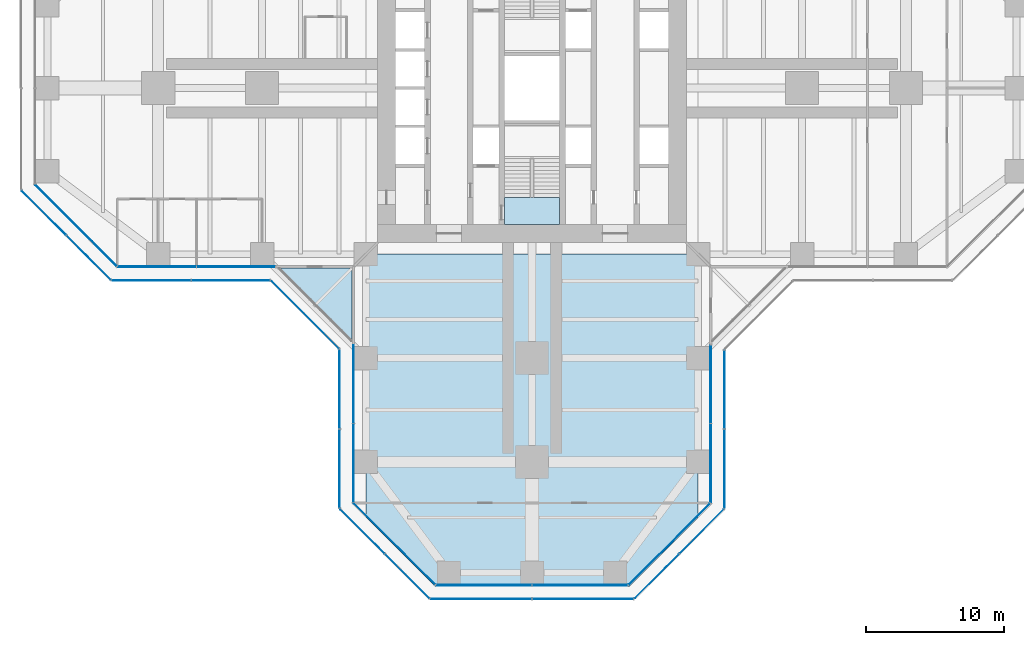
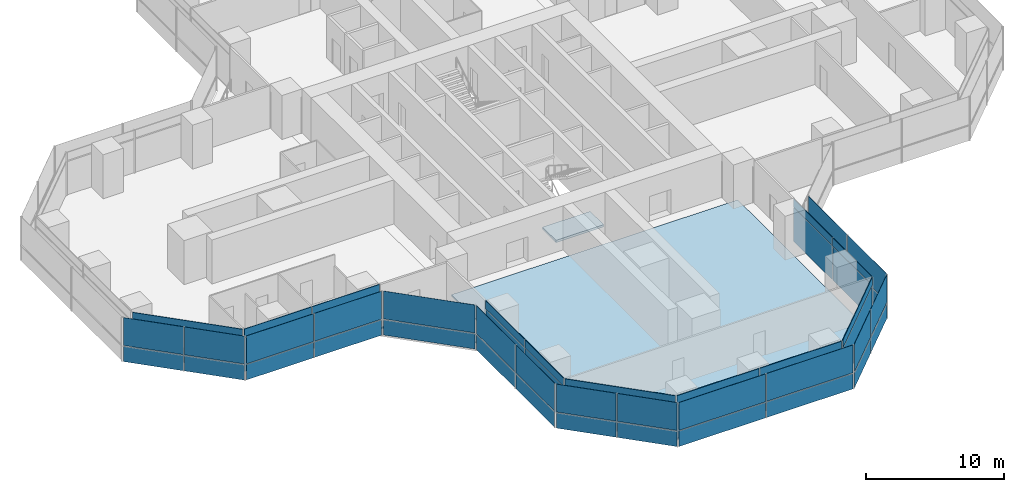
# One storey, part 14 of 22: 52 plates, 3 slabs, 16 elements without a shape of their own.
"""IFC4 building model written with IfcOpenShell, lengths in metres."""

import ifcopenshell
import ifcopenshell.guid

model = None  # the IFC model being written
_history = None  # IfcOwnerHistory: only IFC2X3 demands one
_inside = {}  # id of a spatial element -> (the spatial element, [elements in it])
_under = {}  # id of a project, library or spatial element -> (it, [spatial elements below it])
_declared = {}  # id of a project -> (the project, [libraries it declares])
_typed = {}  # id of a type object -> (the type object, [elements of that type])
_made_of = {}  # id of a material, layer set ... -> (it, [elements and type objects made of it])


def new_model(schema):
    """Start an empty IFC model of exactly this schema.

    Asked for "IFC4X3", IfcOpenShell would pick the latest addendum, in which some entities
    have other attributes; the version numbers below select the first issue.
    IFC2X3 requires an IfcOwnerHistory on every rooted entity: one is made here for all.
    """
    global model, _history
    if schema == "IFC4X3":
        model = ifcopenshell.file(schema_version=(4, 3, 0, 0))
    else:
        model = ifcopenshell.file(schema=schema)
    _inside.clear()
    _under.clear()
    _declared.clear()
    _typed.clear()
    _made_of.clear()
    _history = None
    if model.schema == "IFC2X3":
        org = make("IfcOrganization", Name="unknown")
        user = make(
            "IfcPersonAndOrganization",
            ThePerson=make("IfcPerson", FamilyName="unknown"),
            TheOrganization=org,
        )
        app = make(
            "IfcApplication",
            ApplicationDeveloper=org,
            Version="unknown",
            ApplicationFullName="unknown",
            ApplicationIdentifier="unknown",
        )
        _history = make(
            "IfcOwnerHistory",
            OwningUser=user,
            OwningApplication=app,
            ChangeAction="ADDED",
            CreationDate=0,
        )
    return model


def make(cls, **values):
    """One entity of the class cls with the attributes given. An attribute that is None is left unset."""
    return model.create_entity(
        cls, **{name: value for name, value in values.items() if value is not None}
    )


def rooted(cls, **values):
    """An entity with a GlobalId (a new one), such as an element, a storey or a relation."""
    return make(cls, GlobalId=ifcopenshell.guid.new(), OwnerHistory=_history, **values)


def si_unit(unit_type, name, prefix=None):
    """IfcSIUnit, for example si_unit("LENGTHUNIT", "METRE", prefix="MILLI")."""
    return make("IfcSIUnit", UnitType=unit_type, Prefix=prefix, Name=name)


def assignment(units):
    """IfcUnitAssignment: the units of a project."""
    return None if units is None else make("IfcUnitAssignment", Units=units)


def point(xyz):
    """IfcCartesianPoint."""
    return None if xyz is None else make("IfcCartesianPoint", Coordinates=xyz)


def direction(xyz):
    """IfcDirection."""
    return None if xyz is None else make("IfcDirection", DirectionRatios=xyz)


def frame(location, z_axis=None, x_axis=None):
    """IfcAxis2Placement3D, a coordinate frame: its origin and axes. An axis left out is left unset."""
    return make(
        "IfcAxis2Placement3D",
        Location=point(location),
        Axis=direction(z_axis),
        RefDirection=direction(x_axis),
    )


def frame_2d(location, x_axis=None):
    """IfcAxis2Placement2D, a coordinate frame in the plane: its origin and x axis."""
    return make(
        "IfcAxis2Placement2D", Location=point(location), RefDirection=direction(x_axis)
    )


def origin():
    """The frame at (0, 0, 0) with its axes left unset."""
    return frame((0.0, 0.0, 0.0))


def origin_2d():
    """The frame at (0, 0) in the plane with its x axis left unset."""
    return frame_2d((0.0, 0.0))


def place(relative_to, where):
    """IfcLocalPlacement: puts the frame where relative to a parent placement (None: the world)."""
    return make(
        "IfcLocalPlacement", PlacementRelTo=relative_to, RelativePlacement=where
    )


def context(
    kind, dimensions, precision=None, world=None, true_north=None, identifier=None
):
    """IfcGeometricRepresentationContext, for example the 3D "Model" context."""
    return make(
        "IfcGeometricRepresentationContext",
        ContextIdentifier=identifier,
        ContextType=kind,
        CoordinateSpaceDimension=dimensions,
        Precision=precision,
        WorldCoordinateSystem=world,
        TrueNorth=true_north,
    )


def subcontext(parent, identifier, kind, view, scale=None):
    """IfcGeometricRepresentationSubContext, for example "Body" below "Model"."""
    return make(
        "IfcGeometricRepresentationSubContext",
        ContextIdentifier=identifier,
        ContextType=kind,
        ParentContext=parent,
        TargetScale=scale,
        TargetView=view,
    )


def project(units=None, contexts=None):
    """IfcProject with its units and contexts."""
    return rooted(
        "IfcProject",
        Name="project",
        RepresentationContexts=contexts,
        UnitsInContext=assignment(units),
    )


def spatial(cls, under=None, at=None, **own):
    """A site, building, storey or space (cls), placed at a placement, below another one or the project."""
    s = rooted(cls, ObjectPlacement=at, **own)
    if under is not None:
        _under.setdefault(under.id(), (under, []))[1].append(s)
    return s


def polyline(points):
    """IfcPolyline through the points."""
    return make("IfcPolyline", Points=[point(p) for p in points])


def profile(cls, at=None, kind="AREA", **sizes):
    """A parametric profile (cls). Its sizes go by their IFC names, for example OverallWidth=200.0."""
    return make(cls, ProfileType=kind, Position=at, **sizes)


def rectangle(**sizes):
    """IfcRectangleProfileDef."""
    return profile("IfcRectangleProfileDef", **sizes)


def outline(outer, holes=None, kind="AREA"):
    """IfcArbitraryClosedProfileDef: a profile drawn as a closed curve; with holes, ...WithVoids."""
    if holes is None:
        return make("IfcArbitraryClosedProfileDef", ProfileType=kind, OuterCurve=outer)
    return make(
        "IfcArbitraryProfileDefWithVoids",
        ProfileType=kind,
        OuterCurve=outer,
        InnerCurves=holes,
    )


def extrude(swept, where, along, depth):
    """IfcExtrudedAreaSolid: the profile swept, set in the frame where, extruded along a direction by depth."""
    return make(
        "IfcExtrudedAreaSolid",
        SweptArea=swept,
        Position=where,
        ExtrudedDirection=direction(along),
        Depth=depth,
    )


def shape(context_of_items, identifier, shape_type, items):
    """IfcShapeRepresentation: the items that make up one representation, for example the "Body"."""
    return make(
        "IfcShapeRepresentation",
        ContextOfItems=context_of_items,
        RepresentationIdentifier=identifier,
        RepresentationType=shape_type,
        Items=items,
    )


def material(Name=None, Category=None):
    """IfcMaterial."""
    return make("IfcMaterial", Name=Name, Category=Category)


def layer(
    of_material, thickness, ventilated=None, Name=None, Category=None, Priority=None
):
    """IfcMaterialLayer: one layer of a wall or slab, of a material (None: an air gap)."""
    return make(
        "IfcMaterialLayer",
        Material=of_material,
        LayerThickness=thickness,
        IsVentilated=ventilated,
        Name=Name,
        Category=Category,
        Priority=Priority,
    )


def layer_set(layers, Name=None):
    """IfcMaterialLayerSet."""
    return make("IfcMaterialLayerSet", MaterialLayers=layers, LayerSetName=Name)


def made_of(thing, what):
    """Note that an element or type object is made of a material, layer set ...; save() writes the relation."""
    if what is not None:
        _made_of.setdefault(what.id(), (what, []))[1].append(thing)
    return thing


def type_object(cls, material=None, **own):
    """A type object (cls), such as IfcWallType, which elements share."""
    return made_of(rooted(cls, **own), material)


def element(
    cls,
    number,
    at=None,
    inside=None,
    cuts=None,
    type_object=None,
    material=None,
    context=None,
    identifier="Body",
    shape_type=None,
    held_by="IfcProductDefinitionShape",
    body=None,
    shapes=None,
    **own,
):
    """One element of the class cls, such as IfcWall. Its Tag is "e" and its number.

    at: its placement. inside: the storey or other place that contains it. cuts: it is an
    opening in that element (IfcRelVoidsElement). A single representation is given by context,
    identifier, shape_type and body (its items); several are given by shapes. held_by: the class
    of the entity that holds the representations. save() writes the other relations.
    """
    e = rooted(cls, Tag="e%d" % number, ObjectPlacement=at, **own)
    if body is not None:
        shapes = [shape(context, identifier, shape_type, body)]
    if shapes is not None:
        e.Representation = make(held_by, Representations=shapes)
    if inside is not None:
        _inside.setdefault(inside.id(), (inside, []))[1].append(e)
    if cuts is not None:
        rooted(
            "IfcRelVoidsElement", RelatingBuildingElement=cuts, RelatedOpeningElement=e
        )
    if type_object is not None:
        _typed.setdefault(type_object.id(), (type_object, []))[1].append(e)
    return made_of(e, material)


def aggregate(whole, parts):
    """IfcRelAggregates: a whole, such as a stair, and the parts it consists of."""
    return rooted("IfcRelAggregates", RelatingObject=whole, RelatedObjects=parts)


def save(model, path):
    """Write the relations noted so far, then the file.

    IfcRelAggregates (storeys below a building ...), IfcRelContainedInSpatialStructure (elements
    in a storey), IfcRelDefinesByType, IfcRelAssociatesMaterial and IfcRelDeclares: one each for
    every whole, place, type object, material and project.
    """
    for whole, parts in _under.values():
        aggregate(whole, parts)
    for where, things in _inside.values():
        rooted(
            "IfcRelContainedInSpatialStructure",
            RelatedElements=things,
            RelatingStructure=where,
        )
    for kind, things in _typed.values():
        rooted("IfcRelDefinesByType", RelatedObjects=things, RelatingType=kind)
    for what, things in _made_of.values():
        rooted("IfcRelAssociatesMaterial", RelatedObjects=things, RelatingMaterial=what)
    for by, libraries in _declared.values():
        rooted("IfcRelDeclares", RelatingContext=by, RelatedDefinitions=libraries)
    model.write(path)


model = new_model("IFC4")

# Units and contexts
model_context = context("Model", 3, precision=1e-05, world=origin(), true_north=direction((0.0, 1.0)))
body_context = subcontext(model_context, "Body", "Model", "MODEL_VIEW")
ifc_project = project(units=[si_unit("LENGTHUNIT", "METRE"), si_unit("AREAUNIT", "SQUARE_METRE"), si_unit("VOLUMEUNIT", "CUBIC_METRE"), si_unit("PLANEANGLEUNIT", "RADIAN"), si_unit("MASSUNIT", "GRAM", prefix="KILO")], contexts=[model_context])

# Site, building, storey
site_placement = place(None, origin())
site = spatial("IfcSite", under=ifc_project, at=site_placement, CompositionType="ELEMENT")
building_placement = place(site_placement, origin())
building = spatial("IfcBuilding", under=site, at=building_placement, Name="Mizan Broadcast Tower", CompositionType="ELEMENT")
storey_placement = place(building_placement, frame((0.0, 0.0, 66.89990234375)))
storey = spatial("IfcBuildingStorey", under=building, at=storey_placement, Name="L13", CompositionType="ELEMENT", Elevation=66.89990234375)

# Slab
ifc_material_1 = material(Name="Concrete C32/40", Category="concrete")
ifc_layer_1 = layer(ifc_material_1, 0.1298828125)
ifc_layer_set_1 = layer_set([ifc_layer_1], Name="Concrete C32/40")
slab_type_1 = type_object("IfcSlabType", Name="COMPOSITE DECK SLAB 130", PredefinedType="FLOOR", material=ifc_layer_set_1)
slab_1_placement = place(storey_placement, frame((0.0, 0.0, -0.1298828125)))
element("IfcSlab", 1, at=slab_1_placement, inside=storey, type_object=slab_type_1, Name="Floor slab L13 south arm", PredefinedType="FLOOR", context=body_context, shape_type="SweptSolid", body=[
    extrude(outline(polyline([(7.0, -36.0), (12.0, -31.0), (12.0, -12.0), (-12.0, -12.0), (-12.0, -31.0), (-7.0, -36.0), (7.0, -36.0)])), origin(), (0.0, 0.0, 1.0), 0.1298828125),
])

# Curtain wall, plate
ifc_material_2 = material(Name="Aluminium framed glazing", Category="aluminium")
curtain_wall_type_1 = type_object("IfcCurtainWallType", Name="INNER SKIN LOW ZONE", PredefinedType="USERDEFINED", material=ifc_material_2)
curtain_wall_1_placement = place(storey_placement, origin())
curtain_wall_1 = element("IfcCurtainWall", 2, at=curtain_wall_1_placement, inside=storey, type_object=curtain_wall_type_1, Name="Inner skin low zone L13 W chamfer", ObjectType="INNER SKIN LOW ZONE", PredefinedType="USERDEFINED")
ifc_material_3 = material(Name="Double glazing, clear low-e", Category="glass")
ifc_layer_2 = layer(ifc_material_3, 0.028076171875)
ifc_layer_set_2 = layer_set([ifc_layer_2], Name="Double glazing, clear low-e")
plate_type_1 = type_object("IfcPlateType", Name="INNER SKIN GLAZING UNIT", PredefinedType="CURTAIN_PANEL", material=ifc_layer_set_2)
plate_1_placement = place(storey_placement, frame((-32.92919921875, -9.92919921875, 0.0), z_axis=(0.0, 0.0, 1.0), x_axis=(0.707106781187, -0.707106781187, 0.0)))
plate_1 = element("IfcPlate", 3, at=plate_1_placement, type_object=plate_type_1, Name="Inner skin low zone L13 W chamfer panel 1.1", PredefinedType="CURTAIN_PANEL", context=body_context, shape_type="SweptSolid", body=[
    extrude(rectangle(XDim=8.282470703125, YDim=0.028076171875, at=origin_2d()), origin(), (0.0, 0.0, 1.0), 3.0),
])

# Curtain wall, plates
curtain_wall_2_placement = place(storey_placement, origin())
curtain_wall_2 = element("IfcCurtainWall", 4, at=curtain_wall_2_placement, inside=storey, type_object=curtain_wall_type_1, Name="Inner skin low zone L13 W side", ObjectType="INNER SKIN LOW ZONE", PredefinedType="USERDEFINED")
plate_2_placement = place(storey_placement, frame((-27.078857421875, -12.89990234375, 0.0), z_axis=(0.0, 0.0, 1.0), x_axis=(1.0, 0.0, 0.0)))
plate_2 = element("IfcPlate", 5, at=plate_2_placement, type_object=plate_type_1, Name="Inner skin low zone L13 W side panel 1.1", PredefinedType="CURTAIN_PANEL", context=body_context, shape_type="SweptSolid", body=[
    extrude(rectangle(XDim=5.639404296875, YDim=0.028076171875, at=origin_2d()), origin(), (0.0, 0.0, 1.0), 3.0),
])
plate_3_placement = place(storey_placement, frame((-21.379638671875, -12.89990234375, 0.0), z_axis=(0.0, 0.0, 1.0), x_axis=(1.0, 0.0, 0.0)))
plate_3 = element("IfcPlate", 6, at=plate_3_placement, type_object=plate_type_1, Name="Inner skin low zone L13 W side panel 2.1", PredefinedType="CURTAIN_PANEL", context=body_context, shape_type="SweptSolid", body=[
    extrude(rectangle(XDim=5.639404296875, YDim=0.028076171875, at=origin_2d()), origin(), (0.0, 0.0, 1.0), 3.0),
])

curtain_wall_3_placement = place(storey_placement, origin())
curtain_wall_3 = element("IfcCurtainWall", 7, at=curtain_wall_3_placement, inside=storey, type_object=curtain_wall_type_1, Name="Inner skin low zone L13 S side", ObjectType="INNER SKIN LOW ZONE", PredefinedType="USERDEFINED")
plate_4_placement = place(storey_placement, frame((-12.89990234375, -21.379638671875, 0.0), z_axis=(0.0, 0.0, 1.0), x_axis=(0.0, -1.0, 0.0)))
plate_4 = element("IfcPlate", 8, at=plate_4_placement, type_object=plate_type_1, Name="Inner skin low zone L13 S side panel 1.1", PredefinedType="CURTAIN_PANEL", context=body_context, shape_type="SweptSolid", body=[
    extrude(rectangle(XDim=5.639404296875, YDim=0.028076171875, at=origin_2d()), origin(), (0.0, 0.0, 1.0), 3.0),
])
plate_5_placement = place(storey_placement, frame((-12.89990234375, -27.078857421875, 0.0), z_axis=(0.0, 0.0, 1.0), x_axis=(0.0, -1.0, 0.0)))
plate_5 = element("IfcPlate", 9, at=plate_5_placement, type_object=plate_type_1, Name="Inner skin low zone L13 S side panel 2.1", PredefinedType="CURTAIN_PANEL", context=body_context, shape_type="SweptSolid", body=[
    extrude(rectangle(XDim=5.639404296875, YDim=0.028076171875, at=origin_2d()), origin(), (0.0, 0.0, 1.0), 3.0),
])

# Curtain wall, plate
curtain_wall_4_placement = place(storey_placement, origin())
curtain_wall_4 = element("IfcCurtainWall", 10, at=curtain_wall_4_placement, inside=storey, type_object=curtain_wall_type_1, Name="Inner skin low zone L13 S chamfer", ObjectType="INNER SKIN LOW ZONE", PredefinedType="USERDEFINED")
plate_6_placement = place(storey_placement, frame((-9.92919921875, -32.92919921875, 0.0), z_axis=(0.0, 0.0, 1.0), x_axis=(0.707106781187, -0.707106781187, 0.0)))
plate_6 = element("IfcPlate", 11, at=plate_6_placement, type_object=plate_type_1, Name="Inner skin low zone L13 S chamfer panel 1.1", PredefinedType="CURTAIN_PANEL", context=body_context, shape_type="SweptSolid", body=[
    extrude(rectangle(XDim=8.282470703125, YDim=0.028076171875, at=origin_2d()), origin(), (0.0, 0.0, 1.0), 3.0),
])

# Curtain wall, plates
curtain_wall_5_placement = place(storey_placement, origin())
curtain_wall_5 = element("IfcCurtainWall", 12, at=curtain_wall_5_placement, inside=storey, type_object=curtain_wall_type_1, Name="Inner skin low zone L13 S end", ObjectType="INNER SKIN LOW ZONE", PredefinedType="USERDEFINED")
plate_7_placement = place(storey_placement, frame((-3.46435546875, -35.89990234375, 0.0), z_axis=(0.0, 0.0, 1.0), x_axis=(1.0, 0.0, 0.0)))
plate_7 = element("IfcPlate", 13, at=plate_7_placement, type_object=plate_type_1, Name="Inner skin low zone L13 S end panel 1.1", PredefinedType="CURTAIN_PANEL", context=body_context, shape_type="SweptSolid", body=[
    extrude(rectangle(XDim=6.86865234375, YDim=0.028076171875, at=origin_2d()), origin(), (0.0, 0.0, 1.0), 3.0),
])
plate_8_placement = place(storey_placement, frame((3.46435546875, -35.89990234375, 0.0), z_axis=(0.0, 0.0, 1.0), x_axis=(1.0, 0.0, 0.0)))
plate_8 = element("IfcPlate", 14, at=plate_8_placement, type_object=plate_type_1, Name="Inner skin low zone L13 S end panel 2.1", PredefinedType="CURTAIN_PANEL", context=body_context, shape_type="SweptSolid", body=[
    extrude(rectangle(XDim=6.86865234375, YDim=0.028076171875, at=origin_2d()), origin(), (0.0, 0.0, 1.0), 3.0),
])

# Curtain wall, plate
curtain_wall_6_placement = place(storey_placement, origin())
curtain_wall_6 = element("IfcCurtainWall", 15, at=curtain_wall_6_placement, inside=storey, type_object=curtain_wall_type_1, Name="Inner skin low zone L13 S chamfer", ObjectType="INNER SKIN LOW ZONE", PredefinedType="USERDEFINED")
plate_9_placement = place(storey_placement, frame((9.92919921875, -32.92919921875, 0.0), z_axis=(0.0, 0.0, 1.0), x_axis=(0.707106781187, 0.707106781187, 0.0)))
plate_9 = element("IfcPlate", 16, at=plate_9_placement, type_object=plate_type_1, Name="Inner skin low zone L13 S chamfer panel 1.1", PredefinedType="CURTAIN_PANEL", context=body_context, shape_type="SweptSolid", body=[
    extrude(rectangle(XDim=8.282470703125, YDim=0.028076171875, at=origin_2d()), origin(), (0.0, 0.0, 1.0), 3.0),
])

# Curtain wall, plates
curtain_wall_7_placement = place(storey_placement, origin())
curtain_wall_7 = element("IfcCurtainWall", 17, at=curtain_wall_7_placement, inside=storey, type_object=curtain_wall_type_1, Name="Inner skin low zone L13 S side", ObjectType="INNER SKIN LOW ZONE", PredefinedType="USERDEFINED")
plate_10_placement = place(storey_placement, frame((12.89990234375, -27.078857421875, 0.0), z_axis=(0.0, 0.0, 1.0), x_axis=(0.0, 1.0, 0.0)))
plate_10 = element("IfcPlate", 18, at=plate_10_placement, type_object=plate_type_1, Name="Inner skin low zone L13 S side panel 1.1", PredefinedType="CURTAIN_PANEL", context=body_context, shape_type="SweptSolid", body=[
    extrude(rectangle(XDim=5.639404296875, YDim=0.028076171875, at=origin_2d()), origin(), (0.0, 0.0, 1.0), 3.0),
])
plate_11_placement = place(storey_placement, frame((12.89990234375, -21.379638671875, 0.0), z_axis=(0.0, 0.0, 1.0), x_axis=(0.0, 1.0, 0.0)))
plate_11 = element("IfcPlate", 19, at=plate_11_placement, type_object=plate_type_1, Name="Inner skin low zone L13 S side panel 2.1", PredefinedType="CURTAIN_PANEL", context=body_context, shape_type="SweptSolid", body=[
    extrude(rectangle(XDim=5.639404296875, YDim=0.028076171875, at=origin_2d()), origin(), (0.0, 0.0, 1.0), 3.0),
])

# Plate
ifc_material_4 = material(Name="Insulated aluminium spandrel panel, pale anodised", Category="aluminium")
ifc_layer_3 = layer(ifc_material_4, 0.050048828125)
ifc_layer_set_3 = layer_set([ifc_layer_3], Name="Insulated aluminium spandrel panel, pale anodised")
plate_type_2 = type_object("IfcPlateType", Name="INNER SKIN SPANDREL PANEL", PredefinedType="CURTAIN_PANEL", material=ifc_layer_set_3)
plate_12_placement = place(storey_placement, frame((-32.92919921875, -9.92919921875, 3.06005859375), z_axis=(0.0, 0.0, 1.0), x_axis=(0.707106781187, -0.707106781187, 0.0)))
plate_12 = element("IfcPlate", 20, at=plate_12_placement, type_object=plate_type_2, Name="Inner skin low zone L13 W chamfer panel 1.2", PredefinedType="CURTAIN_PANEL", context=body_context, shape_type="SweptSolid", body=[
    extrude(rectangle(XDim=8.282470703125, YDim=0.050048828125, at=origin_2d()), origin(), (0.0, 0.0, 1.0), 0.7099609375),
])

aggregate(curtain_wall_1, [plate_1, plate_12])

plate_13_placement = place(storey_placement, frame((-27.078857421875, -12.89990234375, 3.06005859375), z_axis=(0.0, 0.0, 1.0), x_axis=(1.0, 0.0, 0.0)))
plate_13 = element("IfcPlate", 21, at=plate_13_placement, type_object=plate_type_2, Name="Inner skin low zone L13 W side panel 1.2", PredefinedType="CURTAIN_PANEL", context=body_context, shape_type="SweptSolid", body=[
    extrude(rectangle(XDim=5.639404296875, YDim=0.050048828125, at=origin_2d()), origin(), (0.0, 0.0, 1.0), 0.7099609375),
])

plate_14_placement = place(storey_placement, frame((-21.379638671875, -12.89990234375, 3.06005859375), z_axis=(0.0, 0.0, 1.0), x_axis=(1.0, 0.0, 0.0)))
plate_14 = element("IfcPlate", 22, at=plate_14_placement, type_object=plate_type_2, Name="Inner skin low zone L13 W side panel 2.2", PredefinedType="CURTAIN_PANEL", context=body_context, shape_type="SweptSolid", body=[
    extrude(rectangle(XDim=5.639404296875, YDim=0.050048828125, at=origin_2d()), origin(), (0.0, 0.0, 1.0), 0.7099609375),
])

aggregate(curtain_wall_2, [plate_2, plate_13, plate_3, plate_14])

plate_15_placement = place(storey_placement, frame((-12.89990234375, -21.379638671875, 3.06005859375), z_axis=(0.0, 0.0, 1.0), x_axis=(0.0, -1.0, 0.0)))
plate_15 = element("IfcPlate", 23, at=plate_15_placement, type_object=plate_type_2, Name="Inner skin low zone L13 S side panel 1.2", PredefinedType="CURTAIN_PANEL", context=body_context, shape_type="SweptSolid", body=[
    extrude(rectangle(XDim=5.639404296875, YDim=0.050048828125, at=origin_2d()), origin(), (0.0, 0.0, 1.0), 0.7099609375),
])

plate_16_placement = place(storey_placement, frame((-12.89990234375, -27.078857421875, 3.06005859375), z_axis=(0.0, 0.0, 1.0), x_axis=(0.0, -1.0, 0.0)))
plate_16 = element("IfcPlate", 24, at=plate_16_placement, type_object=plate_type_2, Name="Inner skin low zone L13 S side panel 2.2", PredefinedType="CURTAIN_PANEL", context=body_context, shape_type="SweptSolid", body=[
    extrude(rectangle(XDim=5.639404296875, YDim=0.050048828125, at=origin_2d()), origin(), (0.0, 0.0, 1.0), 0.7099609375),
])

aggregate(curtain_wall_3, [plate_4, plate_15, plate_5, plate_16])

plate_17_placement = place(storey_placement, frame((-9.92919921875, -32.92919921875, 3.06005859375), z_axis=(0.0, 0.0, 1.0), x_axis=(0.707106781187, -0.707106781187, 0.0)))
plate_17 = element("IfcPlate", 25, at=plate_17_placement, type_object=plate_type_2, Name="Inner skin low zone L13 S chamfer panel 1.2", PredefinedType="CURTAIN_PANEL", context=body_context, shape_type="SweptSolid", body=[
    extrude(rectangle(XDim=8.282470703125, YDim=0.050048828125, at=origin_2d()), origin(), (0.0, 0.0, 1.0), 0.7099609375),
])

aggregate(curtain_wall_4, [plate_6, plate_17])

plate_18_placement = place(storey_placement, frame((-3.46435546875, -35.89990234375, 3.06005859375), z_axis=(0.0, 0.0, 1.0), x_axis=(1.0, 0.0, 0.0)))
plate_18 = element("IfcPlate", 26, at=plate_18_placement, type_object=plate_type_2, Name="Inner skin low zone L13 S end panel 1.2", PredefinedType="CURTAIN_PANEL", context=body_context, shape_type="SweptSolid", body=[
    extrude(rectangle(XDim=6.86865234375, YDim=0.050048828125, at=origin_2d()), origin(), (0.0, 0.0, 1.0), 0.7099609375),
])

plate_19_placement = place(storey_placement, frame((3.46435546875, -35.89990234375, 3.06005859375), z_axis=(0.0, 0.0, 1.0), x_axis=(1.0, 0.0, 0.0)))
plate_19 = element("IfcPlate", 27, at=plate_19_placement, type_object=plate_type_2, Name="Inner skin low zone L13 S end panel 2.2", PredefinedType="CURTAIN_PANEL", context=body_context, shape_type="SweptSolid", body=[
    extrude(rectangle(XDim=6.86865234375, YDim=0.050048828125, at=origin_2d()), origin(), (0.0, 0.0, 1.0), 0.7099609375),
])

aggregate(curtain_wall_5, [plate_7, plate_18, plate_8, plate_19])

plate_20_placement = place(storey_placement, frame((9.92919921875, -32.92919921875, 3.06005859375), z_axis=(0.0, 0.0, 1.0), x_axis=(0.707106781187, 0.707106781187, 0.0)))
plate_20 = element("IfcPlate", 28, at=plate_20_placement, type_object=plate_type_2, Name="Inner skin low zone L13 S chamfer panel 1.2", PredefinedType="CURTAIN_PANEL", context=body_context, shape_type="SweptSolid", body=[
    extrude(rectangle(XDim=8.282470703125, YDim=0.050048828125, at=origin_2d()), origin(), (0.0, 0.0, 1.0), 0.7099609375),
])

aggregate(curtain_wall_6, [plate_9, plate_20])

plate_21_placement = place(storey_placement, frame((12.89990234375, -27.078857421875, 3.06005859375), z_axis=(0.0, 0.0, 1.0), x_axis=(0.0, 1.0, 0.0)))
plate_21 = element("IfcPlate", 29, at=plate_21_placement, type_object=plate_type_2, Name="Inner skin low zone L13 S side panel 1.2", PredefinedType="CURTAIN_PANEL", context=body_context, shape_type="SweptSolid", body=[
    extrude(rectangle(XDim=5.639404296875, YDim=0.050048828125, at=origin_2d()), origin(), (0.0, 0.0, 1.0), 0.7099609375),
])

plate_22_placement = place(storey_placement, frame((12.89990234375, -21.379638671875, 3.06005859375), z_axis=(0.0, 0.0, 1.0), x_axis=(0.0, 1.0, 0.0)))
plate_22 = element("IfcPlate", 30, at=plate_22_placement, type_object=plate_type_2, Name="Inner skin low zone L13 S side panel 2.2", PredefinedType="CURTAIN_PANEL", context=body_context, shape_type="SweptSolid", body=[
    extrude(rectangle(XDim=5.639404296875, YDim=0.050048828125, at=origin_2d()), origin(), (0.0, 0.0, 1.0), 0.7099609375),
])

aggregate(curtain_wall_7, [plate_10, plate_21, plate_11, plate_22])

# Curtain wall, plates
ifc_material_5 = material(Name="Aluminium framed glazing", Category="aluminium")
curtain_wall_type_2 = type_object("IfcCurtainWallType", Name="OUTER SKIN", PredefinedType="USERDEFINED", material=ifc_material_5)
curtain_wall_8_placement = place(storey_placement, origin())
curtain_wall_8 = element("IfcCurtainWall", 31, at=curtain_wall_8_placement, inside=storey, type_object=curtain_wall_type_2, Name="Outer skin L13 W chamfer", ObjectType="OUTER SKIN", PredefinedType="USERDEFINED")
ifc_material_6 = material(Name="Laminated clear glass", Category="glass")
ifc_layer_4 = layer(ifc_material_6, 0.02001953125)
ifc_layer_set_4 = layer_set([ifc_layer_4], Name="Laminated clear glass")
plate_type_3 = type_object("IfcPlateType", Name="OUTER SKIN CLEAR GLASS", PredefinedType="CURTAIN_PANEL", material=ifc_layer_set_4)
plate_23_placement = place(storey_placement, frame((-35.254150390625, -9.018798828125, 0.0), z_axis=(0.0, 0.0, 1.0), x_axis=(0.707106781187, -0.707106781187, 0.0)))
plate_23 = element("IfcPlate", 32, at=plate_23_placement, type_object=plate_type_3, Name="Outer skin L13 W chamfer panel 1.1", PredefinedType="CURTAIN_PANEL", context=body_context, shape_type="SweptSolid", body=[
    extrude(rectangle(XDim=4.495361328125, YDim=0.02001953125, at=origin_2d()), origin(), (0.0, 0.0, 1.0), 1.3701171875),
])
plate_24_placement = place(storey_placement, frame((-35.254150390625, -9.018798828125, 1.43017578125), z_axis=(0.0, 0.0, 1.0), x_axis=(0.707106781187, -0.707106781187, 0.0)))
plate_24 = element("IfcPlate", 33, at=plate_24_placement, type_object=plate_type_3, Name="Outer skin L13 W chamfer panel 1.2", PredefinedType="CURTAIN_PANEL", context=body_context, shape_type="SweptSolid", body=[
    extrude(rectangle(XDim=4.495361328125, YDim=0.02001953125, at=origin_2d()), origin(), (0.0, 0.0, 1.0), 2.469970703125),
])

curtain_wall_9_placement = place(storey_placement, origin())
curtain_wall_9 = element("IfcCurtainWall", 34, at=curtain_wall_9_placement, inside=storey, type_object=curtain_wall_type_2, Name="Outer skin L13 W side", ObjectType="OUTER SKIN", PredefinedType="USERDEFINED")
plate_25_placement = place(storey_placement, frame((-27.477783203125, -13.89990234375, 0.0), z_axis=(0.0, 0.0, 1.0), x_axis=(1.0, 0.0, 0.0)))
plate_25 = element("IfcPlate", 35, at=plate_25_placement, type_object=plate_type_3, Name="Outer skin L13 W side panel 1.1", PredefinedType="CURTAIN_PANEL", context=body_context, shape_type="SweptSolid", body=[
    extrude(rectangle(XDim=5.6298828125, YDim=0.02001953125, at=origin_2d()), origin(), (0.0, 0.0, 1.0), 1.3701171875),
])
plate_26_placement = place(storey_placement, frame((-27.477783203125, -13.89990234375, 1.43017578125), z_axis=(0.0, 0.0, 1.0), x_axis=(1.0, 0.0, 0.0)))
plate_26 = element("IfcPlate", 36, at=plate_26_placement, type_object=plate_type_3, Name="Outer skin L13 W side panel 1.2", PredefinedType="CURTAIN_PANEL", context=body_context, shape_type="SweptSolid", body=[
    extrude(rectangle(XDim=5.6298828125, YDim=0.02001953125, at=origin_2d()), origin(), (0.0, 0.0, 1.0), 2.469970703125),
])

curtain_wall_10_placement = place(storey_placement, origin())
curtain_wall_10 = element("IfcCurtainWall", 37, at=curtain_wall_10_placement, inside=storey, type_object=curtain_wall_type_2, Name="Outer skin L13 W chamfer", ObjectType="OUTER SKIN", PredefinedType="USERDEFINED")
plate_27_placement = place(storey_placement, frame((-16.386474609375, -16.386474609375, 0.0), z_axis=(0.0, 0.0, 1.0), x_axis=(0.707106781187, -0.707106781187, 0.0)))
plate_27 = element("IfcPlate", 38, at=plate_27_placement, type_object=plate_type_3, Name="Outer skin L13 W chamfer panel 1.1", PredefinedType="CURTAIN_PANEL", context=body_context, shape_type="SweptSolid", body=[
    extrude(rectangle(XDim=6.87255859375, YDim=0.02001953125, at=origin_2d()), origin(), (0.0, 0.0, 1.0), 1.3701171875),
])
plate_28_placement = place(storey_placement, frame((-16.386474609375, -16.386474609375, 1.43017578125), z_axis=(0.0, 0.0, 1.0), x_axis=(0.707106781187, -0.707106781187, 0.0)))
plate_28 = element("IfcPlate", 39, at=plate_28_placement, type_object=plate_type_3, Name="Outer skin L13 W chamfer panel 1.2", PredefinedType="CURTAIN_PANEL", context=body_context, shape_type="SweptSolid", body=[
    extrude(rectangle(XDim=6.87255859375, YDim=0.02001953125, at=origin_2d()), origin(), (0.0, 0.0, 1.0), 2.469970703125),
])
aggregate(curtain_wall_10, [plate_27, plate_28])

curtain_wall_11_placement = place(storey_placement, origin())
curtain_wall_11 = element("IfcCurtainWall", 40, at=curtain_wall_11_placement, inside=storey, type_object=curtain_wall_type_2, Name="Outer skin L13 S side", ObjectType="OUTER SKIN", PredefinedType="USERDEFINED")
plate_29_placement = place(storey_placement, frame((-13.89990234375, -21.767822265625, 0.0), z_axis=(0.0, 0.0, 1.0), x_axis=(0.0, -1.0, 0.0)))
plate_29 = element("IfcPlate", 41, at=plate_29_placement, type_object=plate_type_3, Name="Outer skin L13 S side panel 1.1", PredefinedType="CURTAIN_PANEL", context=body_context, shape_type="SweptSolid", body=[
    extrude(rectangle(XDim=5.6298828125, YDim=0.02001953125, at=origin_2d()), origin(), (0.0, 0.0, 1.0), 1.3701171875),
])
plate_30_placement = place(storey_placement, frame((-13.89990234375, -21.767822265625, 1.43017578125), z_axis=(0.0, 0.0, 1.0), x_axis=(0.0, -1.0, 0.0)))
plate_30 = element("IfcPlate", 42, at=plate_30_placement, type_object=plate_type_3, Name="Outer skin L13 S side panel 1.2", PredefinedType="CURTAIN_PANEL", context=body_context, shape_type="SweptSolid", body=[
    extrude(rectangle(XDim=5.6298828125, YDim=0.02001953125, at=origin_2d()), origin(), (0.0, 0.0, 1.0), 2.469970703125),
])

curtain_wall_12_placement = place(storey_placement, origin())
curtain_wall_12 = element("IfcCurtainWall", 43, at=curtain_wall_12_placement, inside=storey, type_object=curtain_wall_type_2, Name="Outer skin L13 S chamfer", ObjectType="OUTER SKIN", PredefinedType="USERDEFINED")
plate_31_placement = place(storey_placement, frame((-12.254150390625, -32.018798828125, 0.0), z_axis=(0.0, 0.0, 1.0), x_axis=(0.707106781187, -0.707106781187, 0.0)))
plate_31 = element("IfcPlate", 44, at=plate_31_placement, type_object=plate_type_3, Name="Outer skin L13 S chamfer panel 1.1", PredefinedType="CURTAIN_PANEL", context=body_context, shape_type="SweptSolid", body=[
    extrude(rectangle(XDim=4.495361328125, YDim=0.02001953125, at=origin_2d()), origin(), (0.0, 0.0, 1.0), 1.3701171875),
])
plate_32_placement = place(storey_placement, frame((-12.254150390625, -32.018798828125, 1.43017578125), z_axis=(0.0, 0.0, 1.0), x_axis=(0.707106781187, -0.707106781187, 0.0)))
plate_32 = element("IfcPlate", 45, at=plate_32_placement, type_object=plate_type_3, Name="Outer skin L13 S chamfer panel 1.2", PredefinedType="CURTAIN_PANEL", context=body_context, shape_type="SweptSolid", body=[
    extrude(rectangle(XDim=4.495361328125, YDim=0.02001953125, at=origin_2d()), origin(), (0.0, 0.0, 1.0), 2.469970703125),
])

curtain_wall_13_placement = place(storey_placement, origin())
curtain_wall_13 = element("IfcCurtainWall", 46, at=curtain_wall_13_placement, inside=storey, type_object=curtain_wall_type_2, Name="Outer skin L13 S end", ObjectType="OUTER SKIN", PredefinedType="USERDEFINED")
plate_33_placement = place(storey_placement, frame((-3.66650390625, -36.89990234375, 0.0), z_axis=(0.0, 0.0, 1.0), x_axis=(1.0, 0.0, 0.0)))
plate_33 = element("IfcPlate", 47, at=plate_33_placement, type_object=plate_type_3, Name="Outer skin L13 S end panel 1.1", PredefinedType="CURTAIN_PANEL", context=body_context, shape_type="SweptSolid", body=[
    extrude(rectangle(XDim=7.252685546875, YDim=0.02001953125, at=origin_2d()), origin(), (0.0, 0.0, 1.0), 1.3701171875),
])
plate_34_placement = place(storey_placement, frame((-3.66650390625, -36.89990234375, 1.43017578125), z_axis=(0.0, 0.0, 1.0), x_axis=(1.0, 0.0, 0.0)))
plate_34 = element("IfcPlate", 48, at=plate_34_placement, type_object=plate_type_3, Name="Outer skin L13 S end panel 1.2", PredefinedType="CURTAIN_PANEL", context=body_context, shape_type="SweptSolid", body=[
    extrude(rectangle(XDim=7.252685546875, YDim=0.02001953125, at=origin_2d()), origin(), (0.0, 0.0, 1.0), 2.469970703125),
])

curtain_wall_14_placement = place(storey_placement, origin())
curtain_wall_14 = element("IfcCurtainWall", 49, at=curtain_wall_14_placement, inside=storey, type_object=curtain_wall_type_2, Name="Outer skin L13 S chamfer", ObjectType="OUTER SKIN", PredefinedType="USERDEFINED")
plate_35_placement = place(storey_placement, frame((9.018798828125, -35.254150390625, 0.0), z_axis=(0.0, 0.0, 1.0), x_axis=(0.707106781187, 0.707106781187, 0.0)))
plate_35 = element("IfcPlate", 50, at=plate_35_placement, type_object=plate_type_3, Name="Outer skin L13 S chamfer panel 1.1", PredefinedType="CURTAIN_PANEL", context=body_context, shape_type="SweptSolid", body=[
    extrude(rectangle(XDim=4.495361328125, YDim=0.02001953125, at=origin_2d()), origin(), (0.0, 0.0, 1.0), 1.3701171875),
])
plate_36_placement = place(storey_placement, frame((9.018798828125, -35.254150390625, 1.43017578125), z_axis=(0.0, 0.0, 1.0), x_axis=(0.707106781187, 0.707106781187, 0.0)))
plate_36 = element("IfcPlate", 51, at=plate_36_placement, type_object=plate_type_3, Name="Outer skin L13 S chamfer panel 1.2", PredefinedType="CURTAIN_PANEL", context=body_context, shape_type="SweptSolid", body=[
    extrude(rectangle(XDim=4.495361328125, YDim=0.02001953125, at=origin_2d()), origin(), (0.0, 0.0, 1.0), 2.469970703125),
])

curtain_wall_15_placement = place(storey_placement, origin())
curtain_wall_15 = element("IfcCurtainWall", 52, at=curtain_wall_15_placement, inside=storey, type_object=curtain_wall_type_2, Name="Outer skin L13 S side", ObjectType="OUTER SKIN", PredefinedType="USERDEFINED")
plate_37_placement = place(storey_placement, frame((13.89990234375, -27.477783203125, 0.0), z_axis=(0.0, 0.0, 1.0), x_axis=(0.0, 1.0, 0.0)))
plate_37 = element("IfcPlate", 53, at=plate_37_placement, type_object=plate_type_3, Name="Outer skin L13 S side panel 1.1", PredefinedType="CURTAIN_PANEL", context=body_context, shape_type="SweptSolid", body=[
    extrude(rectangle(XDim=5.6298828125, YDim=0.02001953125, at=origin_2d()), origin(), (0.0, 0.0, 1.0), 1.3701171875),
])
plate_38_placement = place(storey_placement, frame((13.89990234375, -27.477783203125, 1.43017578125), z_axis=(0.0, 0.0, 1.0), x_axis=(0.0, 1.0, 0.0)))
plate_38 = element("IfcPlate", 54, at=plate_38_placement, type_object=plate_type_3, Name="Outer skin L13 S side panel 1.2", PredefinedType="CURTAIN_PANEL", context=body_context, shape_type="SweptSolid", body=[
    extrude(rectangle(XDim=5.6298828125, YDim=0.02001953125, at=origin_2d()), origin(), (0.0, 0.0, 1.0), 2.469970703125),
])

# Plate
ifc_material_7 = material(Name="Perforated aluminium, pale anodised", Category="aluminium")
ifc_layer_5 = layer(ifc_material_7, 0.011962890625)
ifc_layer_set_5 = layer_set([ifc_layer_5], Name="Perforated aluminium, pale anodised")
plate_type_4 = type_object("IfcPlateType", Name="OUTER SKIN PERFORATED SCREEN", PredefinedType="USERDEFINED", material=ifc_layer_set_5)
plate_39_placement = place(storey_placement, frame((-32.018798828125, -12.254150390625, 0.0), z_axis=(0.0, 0.0, 1.0), x_axis=(0.707106781187, -0.707106781187, 0.0)))
plate_39 = element("IfcPlate", 55, at=plate_39_placement, type_object=plate_type_4, Name="Outer skin L13 W chamfer panel 2.1", ObjectType="SCREEN", PredefinedType="USERDEFINED", context=body_context, shape_type="SweptSolid", body=[
    extrude(rectangle(XDim=4.495361328125, YDim=0.011962890625, at=origin_2d()), origin(), (0.0, 0.0, 1.0), 1.3701171875),
])

plate_40_placement = place(storey_placement, frame((-32.018798828125, -12.254150390625, 1.43017578125), z_axis=(0.0, 0.0, 1.0), x_axis=(0.707106781187, -0.707106781187, 0.0)))
plate_40 = element("IfcPlate", 56, at=plate_40_placement, type_object=plate_type_4, Name="Outer skin L13 W chamfer panel 2.2", ObjectType="SCREEN", PredefinedType="USERDEFINED", context=body_context, shape_type="SweptSolid", body=[
    extrude(rectangle(XDim=4.495361328125, YDim=0.011962890625, at=origin_2d()), origin(), (0.0, 0.0, 1.0), 2.469970703125),
])

aggregate(curtain_wall_8, [plate_23, plate_24, plate_39, plate_40])

plate_41_placement = place(storey_placement, frame((-21.767822265625, -13.89990234375, 0.0), z_axis=(0.0, 0.0, 1.0), x_axis=(1.0, 0.0, 0.0)))
plate_41 = element("IfcPlate", 57, at=plate_41_placement, type_object=plate_type_4, Name="Outer skin L13 W side panel 2.1", ObjectType="SCREEN", PredefinedType="USERDEFINED", context=body_context, shape_type="SweptSolid", body=[
    extrude(rectangle(XDim=5.6298828125, YDim=0.011962890625, at=origin_2d()), origin(), (0.0, 0.0, 1.0), 1.3701171875),
])

plate_42_placement = place(storey_placement, frame((-21.767822265625, -13.89990234375, 1.43017578125), z_axis=(0.0, 0.0, 1.0), x_axis=(1.0, 0.0, 0.0)))
plate_42 = element("IfcPlate", 58, at=plate_42_placement, type_object=plate_type_4, Name="Outer skin L13 W side panel 2.2", ObjectType="SCREEN", PredefinedType="USERDEFINED", context=body_context, shape_type="SweptSolid", body=[
    extrude(rectangle(XDim=5.6298828125, YDim=0.011962890625, at=origin_2d()), origin(), (0.0, 0.0, 1.0), 2.469970703125),
])

aggregate(curtain_wall_9, [plate_25, plate_26, plate_41, plate_42])

plate_43_placement = place(storey_placement, frame((-13.89990234375, -27.477783203125, 0.0), z_axis=(0.0, 0.0, 1.0), x_axis=(0.0, -1.0, 0.0)))
plate_43 = element("IfcPlate", 59, at=plate_43_placement, type_object=plate_type_4, Name="Outer skin L13 S side panel 2.1", ObjectType="SCREEN", PredefinedType="USERDEFINED", context=body_context, shape_type="SweptSolid", body=[
    extrude(rectangle(XDim=5.6298828125, YDim=0.011962890625, at=origin_2d()), origin(), (0.0, 0.0, 1.0), 1.3701171875),
])

plate_44_placement = place(storey_placement, frame((-13.89990234375, -27.477783203125, 1.43017578125), z_axis=(0.0, 0.0, 1.0), x_axis=(0.0, -1.0, 0.0)))
plate_44 = element("IfcPlate", 60, at=plate_44_placement, type_object=plate_type_4, Name="Outer skin L13 S side panel 2.2", ObjectType="SCREEN", PredefinedType="USERDEFINED", context=body_context, shape_type="SweptSolid", body=[
    extrude(rectangle(XDim=5.6298828125, YDim=0.011962890625, at=origin_2d()), origin(), (0.0, 0.0, 1.0), 2.469970703125),
])

aggregate(curtain_wall_11, [plate_29, plate_30, plate_43, plate_44])

plate_45_placement = place(storey_placement, frame((-9.018798828125, -35.254150390625, 0.0), z_axis=(0.0, 0.0, 1.0), x_axis=(0.707106781187, -0.707106781187, 0.0)))
plate_45 = element("IfcPlate", 61, at=plate_45_placement, type_object=plate_type_4, Name="Outer skin L13 S chamfer panel 2.1", ObjectType="SCREEN", PredefinedType="USERDEFINED", context=body_context, shape_type="SweptSolid", body=[
    extrude(rectangle(XDim=4.495361328125, YDim=0.011962890625, at=origin_2d()), origin(), (0.0, 0.0, 1.0), 1.3701171875),
])

plate_46_placement = place(storey_placement, frame((-9.018798828125, -35.254150390625, 1.43017578125), z_axis=(0.0, 0.0, 1.0), x_axis=(0.707106781187, -0.707106781187, 0.0)))
plate_46 = element("IfcPlate", 62, at=plate_46_placement, type_object=plate_type_4, Name="Outer skin L13 S chamfer panel 2.2", ObjectType="SCREEN", PredefinedType="USERDEFINED", context=body_context, shape_type="SweptSolid", body=[
    extrude(rectangle(XDim=4.495361328125, YDim=0.011962890625, at=origin_2d()), origin(), (0.0, 0.0, 1.0), 2.469970703125),
])

aggregate(curtain_wall_12, [plate_31, plate_32, plate_45, plate_46])

plate_47_placement = place(storey_placement, frame((3.66650390625, -36.89990234375, 0.0), z_axis=(0.0, 0.0, 1.0), x_axis=(1.0, 0.0, 0.0)))
plate_47 = element("IfcPlate", 63, at=plate_47_placement, type_object=plate_type_4, Name="Outer skin L13 S end panel 2.1", ObjectType="SCREEN", PredefinedType="USERDEFINED", context=body_context, shape_type="SweptSolid", body=[
    extrude(rectangle(XDim=7.252685546875, YDim=0.011962890625, at=origin_2d()), origin(), (0.0, 0.0, 1.0), 1.3701171875),
])

plate_48_placement = place(storey_placement, frame((3.66650390625, -36.89990234375, 1.43017578125), z_axis=(0.0, 0.0, 1.0), x_axis=(1.0, 0.0, 0.0)))
plate_48 = element("IfcPlate", 64, at=plate_48_placement, type_object=plate_type_4, Name="Outer skin L13 S end panel 2.2", ObjectType="SCREEN", PredefinedType="USERDEFINED", context=body_context, shape_type="SweptSolid", body=[
    extrude(rectangle(XDim=7.252685546875, YDim=0.011962890625, at=origin_2d()), origin(), (0.0, 0.0, 1.0), 2.469970703125),
])

aggregate(curtain_wall_13, [plate_33, plate_34, plate_47, plate_48])

plate_49_placement = place(storey_placement, frame((12.254150390625, -32.018798828125, 0.0), z_axis=(0.0, 0.0, 1.0), x_axis=(0.707106781187, 0.707106781187, 0.0)))
plate_49 = element("IfcPlate", 65, at=plate_49_placement, type_object=plate_type_4, Name="Outer skin L13 S chamfer panel 2.1", ObjectType="SCREEN", PredefinedType="USERDEFINED", context=body_context, shape_type="SweptSolid", body=[
    extrude(rectangle(XDim=4.495361328125, YDim=0.011962890625, at=origin_2d()), origin(), (0.0, 0.0, 1.0), 1.3701171875),
])

plate_50_placement = place(storey_placement, frame((12.254150390625, -32.018798828125, 1.43017578125), z_axis=(0.0, 0.0, 1.0), x_axis=(0.707106781187, 0.707106781187, 0.0)))
plate_50 = element("IfcPlate", 66, at=plate_50_placement, type_object=plate_type_4, Name="Outer skin L13 S chamfer panel 2.2", ObjectType="SCREEN", PredefinedType="USERDEFINED", context=body_context, shape_type="SweptSolid", body=[
    extrude(rectangle(XDim=4.495361328125, YDim=0.011962890625, at=origin_2d()), origin(), (0.0, 0.0, 1.0), 2.469970703125),
])

aggregate(curtain_wall_14, [plate_35, plate_36, plate_49, plate_50])

plate_51_placement = place(storey_placement, frame((13.89990234375, -21.767822265625, 0.0), z_axis=(0.0, 0.0, 1.0), x_axis=(0.0, 1.0, 0.0)))
plate_51 = element("IfcPlate", 67, at=plate_51_placement, type_object=plate_type_4, Name="Outer skin L13 S side panel 2.1", ObjectType="SCREEN", PredefinedType="USERDEFINED", context=body_context, shape_type="SweptSolid", body=[
    extrude(rectangle(XDim=5.6298828125, YDim=0.011962890625, at=origin_2d()), origin(), (0.0, 0.0, 1.0), 1.3701171875),
])

plate_52_placement = place(storey_placement, frame((13.89990234375, -21.767822265625, 1.43017578125), z_axis=(0.0, 0.0, 1.0), x_axis=(0.0, 1.0, 0.0)))
plate_52 = element("IfcPlate", 68, at=plate_52_placement, type_object=plate_type_4, Name="Outer skin L13 S side panel 2.2", ObjectType="SCREEN", PredefinedType="USERDEFINED", context=body_context, shape_type="SweptSolid", body=[
    extrude(rectangle(XDim=5.6298828125, YDim=0.011962890625, at=origin_2d()), origin(), (0.0, 0.0, 1.0), 2.469970703125),
])

aggregate(curtain_wall_15, [plate_37, plate_38, plate_51, plate_52])

# Stair, slab
ifc_material_8 = material(Name="Concrete C40/50", Category="concrete")
stair_type = type_object("IfcStairType", Name="EXIT STAIR", PredefinedType="HALF_TURN_STAIR", material=ifc_material_8)
stair_placement = place(storey_placement, origin())
stair = element("IfcStair", 69, at=stair_placement, inside=storey, type_object=stair_type, Name="Stair A L13", PredefinedType="HALF_TURN_STAIR")
ifc_material_9 = material(Name="Concrete C40/50", Category="concrete")
ifc_layer_6 = layer(ifc_material_9, 0.199951171875)
ifc_layer_set_6 = layer_set([ifc_layer_6], Name="Concrete C40/50")
slab_type_2 = type_object("IfcSlabType", Name="STAIR LANDING 200", PredefinedType="LANDING", material=ifc_layer_set_6)
slab_2_placement = place(storey_placement, frame((0.0, 0.0, -0.199951171875)))
slab_2 = element("IfcSlab", 70, at=slab_2_placement, type_object=slab_type_2, Name="A landing 1", PredefinedType="LANDING", context=body_context, shape_type="SweptSolid", body=[
    extrude(outline(polyline([(-2.0, -9.85009765625), (-2.0, -7.89990234375), (2.0, -7.89990234375), (2.0, -9.85009765625), (-2.0, -9.85009765625)])), origin(), (0.0, 0.0, 1.0), 0.199951171875),
])
aggregate(stair, [slab_2])

# Slab
ifc_material_10 = material(Name="Concrete C32/40", Category="concrete")
ifc_layer_7 = layer(ifc_material_10, 0.1298828125)
ifc_layer_set_7 = layer_set([ifc_layer_7], Name="Concrete C32/40")
slab_type_3 = type_object("IfcSlabType", Name="WINTER GARDEN SLAB 130", PredefinedType="FLOOR", material=ifc_layer_set_7)
slab_3_placement = place(storey_placement, frame((0.0, 0.0, -0.1298828125)))
element("IfcSlab", 71, at=slab_3_placement, inside=storey, type_object=slab_type_3, Name="Winter garden slab L13 W", PredefinedType="FLOOR", context=body_context, shape_type="SweptSolid", body=[
    extrude(outline(polyline([(-13.0, -13.0), (-18.5, -13.0), (-13.0, -18.5), (-13.0, -13.0)])), origin(), (0.0, 0.0, 1.0), 0.1298828125),
])

save(model, "model.ifc")
